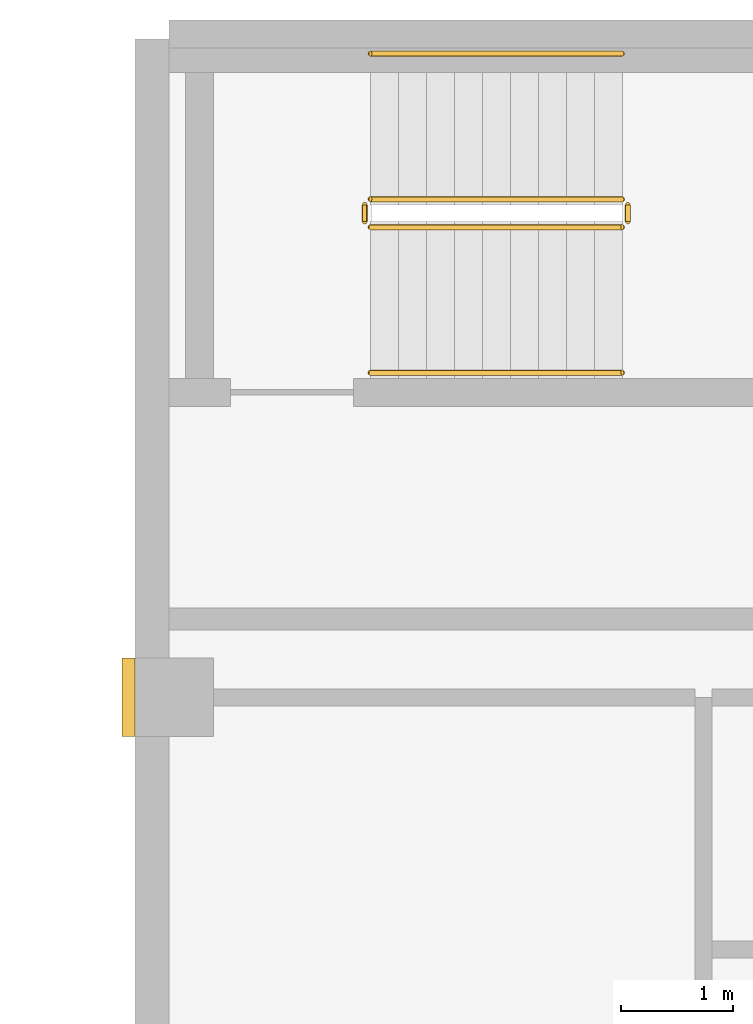
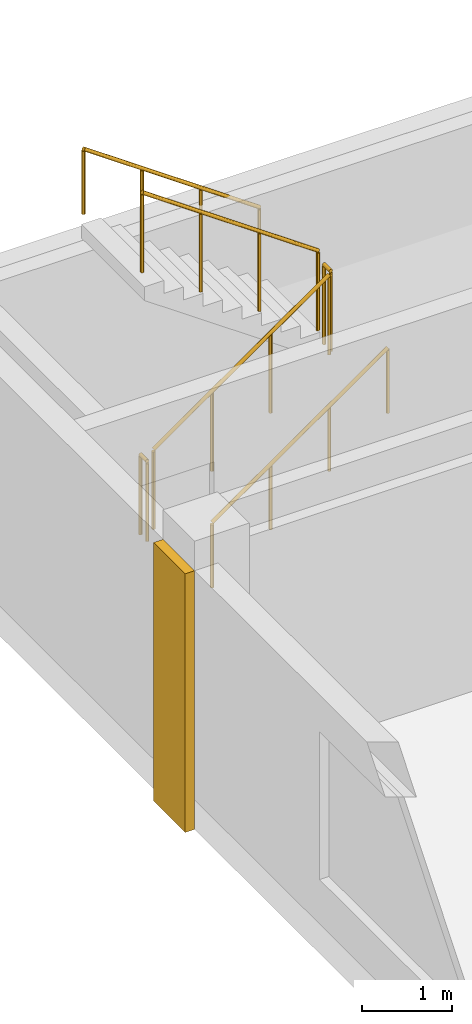
# One storey, part 10 of 10: 6 railings, 1 covering.
"""IFC4 building model written with IfcOpenShell, lengths in metres."""

import ifcopenshell
import ifcopenshell.guid

model = None  # the IFC model being written
_history = None  # IfcOwnerHistory: only IFC2X3 demands one
_inside = {}  # id of a spatial element -> (the spatial element, [elements in it])
_under = {}  # id of a project, library or spatial element -> (it, [spatial elements below it])
_declared = {}  # id of a project -> (the project, [libraries it declares])
_typed = {}  # id of a type object -> (the type object, [elements of that type])
_made_of = {}  # id of a material, layer set ... -> (it, [elements and type objects made of it])


def new_model(schema):
    """Start an empty IFC model of exactly this schema.

    Asked for "IFC4X3", IfcOpenShell would pick the latest addendum, in which some entities
    have other attributes; the version numbers below select the first issue.
    IFC2X3 requires an IfcOwnerHistory on every rooted entity: one is made here for all.
    """
    global model, _history
    if schema == "IFC4X3":
        model = ifcopenshell.file(schema_version=(4, 3, 0, 0))
    else:
        model = ifcopenshell.file(schema=schema)
    _inside.clear()
    _under.clear()
    _declared.clear()
    _typed.clear()
    _made_of.clear()
    _history = None
    if model.schema == "IFC2X3":
        org = make("IfcOrganization", Name="unknown")
        user = make(
            "IfcPersonAndOrganization",
            ThePerson=make("IfcPerson", FamilyName="unknown"),
            TheOrganization=org,
        )
        app = make(
            "IfcApplication",
            ApplicationDeveloper=org,
            Version="unknown",
            ApplicationFullName="unknown",
            ApplicationIdentifier="unknown",
        )
        _history = make(
            "IfcOwnerHistory",
            OwningUser=user,
            OwningApplication=app,
            ChangeAction="ADDED",
            CreationDate=0,
        )
    return model


def make(cls, **values):
    """One entity of the class cls with the attributes given. An attribute that is None is left unset."""
    return model.create_entity(
        cls, **{name: value for name, value in values.items() if value is not None}
    )


def rooted(cls, **values):
    """An entity with a GlobalId (a new one), such as an element, a storey or a relation."""
    return make(cls, GlobalId=ifcopenshell.guid.new(), OwnerHistory=_history, **values)


def si_unit(unit_type, name, prefix=None):
    """IfcSIUnit, for example si_unit("LENGTHUNIT", "METRE", prefix="MILLI")."""
    return make("IfcSIUnit", UnitType=unit_type, Prefix=prefix, Name=name)


def assignment(units):
    """IfcUnitAssignment: the units of a project."""
    return None if units is None else make("IfcUnitAssignment", Units=units)


def point(xyz):
    """IfcCartesianPoint."""
    return None if xyz is None else make("IfcCartesianPoint", Coordinates=xyz)


def direction(xyz):
    """IfcDirection."""
    return None if xyz is None else make("IfcDirection", DirectionRatios=xyz)


def frame(location, z_axis=None, x_axis=None):
    """IfcAxis2Placement3D, a coordinate frame: its origin and axes. An axis left out is left unset."""
    return make(
        "IfcAxis2Placement3D",
        Location=point(location),
        Axis=direction(z_axis),
        RefDirection=direction(x_axis),
    )


def frame_2d(location, x_axis=None):
    """IfcAxis2Placement2D, a coordinate frame in the plane: its origin and x axis."""
    return make(
        "IfcAxis2Placement2D", Location=point(location), RefDirection=direction(x_axis)
    )


def origin():
    """The frame at (0, 0, 0) with its axes left unset."""
    return frame((0.0, 0.0, 0.0))


def origin_2d():
    """The frame at (0, 0) in the plane with its x axis left unset."""
    return frame_2d((0.0, 0.0))


def place(relative_to, where):
    """IfcLocalPlacement: puts the frame where relative to a parent placement (None: the world)."""
    return make(
        "IfcLocalPlacement", PlacementRelTo=relative_to, RelativePlacement=where
    )


def context(
    kind, dimensions, precision=None, world=None, true_north=None, identifier=None
):
    """IfcGeometricRepresentationContext, for example the 3D "Model" context."""
    return make(
        "IfcGeometricRepresentationContext",
        ContextIdentifier=identifier,
        ContextType=kind,
        CoordinateSpaceDimension=dimensions,
        Precision=precision,
        WorldCoordinateSystem=world,
        TrueNorth=true_north,
    )


def subcontext(parent, identifier, kind, view, scale=None):
    """IfcGeometricRepresentationSubContext, for example "Body" below "Model"."""
    return make(
        "IfcGeometricRepresentationSubContext",
        ContextIdentifier=identifier,
        ContextType=kind,
        ParentContext=parent,
        TargetScale=scale,
        TargetView=view,
    )


def project(units=None, contexts=None):
    """IfcProject with its units and contexts."""
    return rooted(
        "IfcProject",
        Name="project",
        RepresentationContexts=contexts,
        UnitsInContext=assignment(units),
    )


def spatial(cls, under=None, at=None, **own):
    """A site, building, storey or space (cls), placed at a placement, below another one or the project."""
    s = rooted(cls, ObjectPlacement=at, **own)
    if under is not None:
        _under.setdefault(under.id(), (under, []))[1].append(s)
    return s


def profile(cls, at=None, kind="AREA", **sizes):
    """A parametric profile (cls). Its sizes go by their IFC names, for example OverallWidth=200.0."""
    return make(cls, ProfileType=kind, Position=at, **sizes)


def rectangle(**sizes):
    """IfcRectangleProfileDef."""
    return profile("IfcRectangleProfileDef", **sizes)


def circle(**sizes):
    """IfcCircleProfileDef."""
    return profile("IfcCircleProfileDef", **sizes)


def extrude(swept, where, along, depth):
    """IfcExtrudedAreaSolid: the profile swept, set in the frame where, extruded along a direction by depth."""
    return make(
        "IfcExtrudedAreaSolid",
        SweptArea=swept,
        Position=where,
        ExtrudedDirection=direction(along),
        Depth=depth,
    )


def shape(context_of_items, identifier, shape_type, items):
    """IfcShapeRepresentation: the items that make up one representation, for example the "Body"."""
    return make(
        "IfcShapeRepresentation",
        ContextOfItems=context_of_items,
        RepresentationIdentifier=identifier,
        RepresentationType=shape_type,
        Items=items,
    )


def source(mapping_origin, context_of_items, identifier, shape_type, items):
    """IfcRepresentationMap: a shape defined once, which mapped items show again and again."""
    return make(
        "IfcRepresentationMap",
        MappingOrigin=mapping_origin,
        MappedRepresentation=shape(context_of_items, identifier, shape_type, items),
    )


def transform(
    local_origin,
    x_axis=None,
    y_axis=None,
    z_axis=None,
    scale=None,
    scale2=None,
    scale3=None,
    uniform=True,
):
    """IfcCartesianTransformationOperator3D, or its non-uniform kind. x_axis, y_axis, z_axis: its Axis1, 2, 3."""
    if uniform:
        return make(
            "IfcCartesianTransformationOperator3D",
            Axis1=direction(x_axis),
            Axis2=direction(y_axis),
            LocalOrigin=point(local_origin),
            Scale=scale,
            Axis3=direction(z_axis),
        )
    return make(
        "IfcCartesianTransformationOperator3DnonUniform",
        Axis1=direction(x_axis),
        Axis2=direction(y_axis),
        LocalOrigin=point(local_origin),
        Scale=scale,
        Axis3=direction(z_axis),
        Scale2=scale2,
        Scale3=scale3,
    )


def mapped(mapping_source, mapping_target):
    """IfcMappedItem: shows the shape of a source again, moved by a transform."""
    return make(
        "IfcMappedItem", MappingSource=mapping_source, MappingTarget=mapping_target
    )


def material(Name=None, Category=None):
    """IfcMaterial."""
    return make("IfcMaterial", Name=Name, Category=Category)


def made_of(thing, what):
    """Note that an element or type object is made of a material, layer set ...; save() writes the relation."""
    if what is not None:
        _made_of.setdefault(what.id(), (what, []))[1].append(thing)
    return thing


def type_object(cls, material=None, **own):
    """A type object (cls), such as IfcWallType, which elements share."""
    return made_of(rooted(cls, **own), material)


def element(
    cls,
    number,
    at=None,
    inside=None,
    cuts=None,
    type_object=None,
    material=None,
    context=None,
    identifier="Body",
    shape_type=None,
    held_by="IfcProductDefinitionShape",
    body=None,
    shapes=None,
    **own,
):
    """One element of the class cls, such as IfcWall. Its Tag is "e" and its number.

    at: its placement. inside: the storey or other place that contains it. cuts: it is an
    opening in that element (IfcRelVoidsElement). A single representation is given by context,
    identifier, shape_type and body (its items); several are given by shapes. held_by: the class
    of the entity that holds the representations. save() writes the other relations.
    """
    e = rooted(cls, Tag="e%d" % number, ObjectPlacement=at, **own)
    if body is not None:
        shapes = [shape(context, identifier, shape_type, body)]
    if shapes is not None:
        e.Representation = make(held_by, Representations=shapes)
    if inside is not None:
        _inside.setdefault(inside.id(), (inside, []))[1].append(e)
    if cuts is not None:
        rooted(
            "IfcRelVoidsElement", RelatingBuildingElement=cuts, RelatedOpeningElement=e
        )
    if type_object is not None:
        _typed.setdefault(type_object.id(), (type_object, []))[1].append(e)
    return made_of(e, material)


def aggregate(whole, parts):
    """IfcRelAggregates: a whole, such as a stair, and the parts it consists of."""
    return rooted("IfcRelAggregates", RelatingObject=whole, RelatedObjects=parts)


def save(model, path):
    """Write the relations noted so far, then the file.

    IfcRelAggregates (storeys below a building ...), IfcRelContainedInSpatialStructure (elements
    in a storey), IfcRelDefinesByType, IfcRelAssociatesMaterial and IfcRelDeclares: one each for
    every whole, place, type object, material and project.
    """
    for whole, parts in _under.values():
        aggregate(whole, parts)
    for where, things in _inside.values():
        rooted(
            "IfcRelContainedInSpatialStructure",
            RelatedElements=things,
            RelatingStructure=where,
        )
    for kind, things in _typed.values():
        rooted("IfcRelDefinesByType", RelatedObjects=things, RelatingType=kind)
    for what, things in _made_of.values():
        rooted("IfcRelAssociatesMaterial", RelatedObjects=things, RelatingMaterial=what)
    for by, libraries in _declared.values():
        rooted("IfcRelDeclares", RelatingContext=by, RelatedDefinitions=libraries)
    model.write(path)


model = new_model("IFC4")

# Units and contexts
model_context = context("Model", 3, precision=1e-05, world=origin(), true_north=direction((0.0, 1.0)))
body_context = subcontext(model_context, "Body", "Model", "MODEL_VIEW")
ifc_project = project(units=[si_unit("LENGTHUNIT", "METRE"), si_unit("AREAUNIT", "SQUARE_METRE"), si_unit("VOLUMEUNIT", "CUBIC_METRE"), si_unit("PLANEANGLEUNIT", "RADIAN"), si_unit("MASSUNIT", "GRAM", prefix="KILO")], contexts=[model_context])

# Site, building, storey
site_placement = place(None, origin())
site = spatial("IfcSite", under=ifc_project, at=site_placement, CompositionType="ELEMENT")
building_placement = place(site_placement, origin())
building = spatial("IfcBuilding", under=site, at=building_placement, Name="Aurelian Terraces", CompositionType="ELEMENT")
storey_placement = place(building_placement, frame((0.0, 0.0, 291.5)))
storey = spatial("IfcBuildingStorey", under=building, at=storey_placement, Name="L66", CompositionType="ELEMENT", Elevation=291.5)

# Covering
ifc_material_1 = material(Name="Terracotta rainscreen cladding relief", Category="masonry")
covering_type = type_object("IfcCoveringType", Name="BAGUETTE-TC", PredefinedType="CLADDING", material=ifc_material_1)
shared_shape_1 = source(origin(), body_context, "Body", "SweptSolid", [
    extrude(rectangle(XDim=0.12, YDim=0.7, at=origin_2d()), origin(), (0.0, 0.0, 1.0), 3.5),
])
covering_placement = place(storey_placement, frame((10.44, 37.8, -0.4), z_axis=(0.0, 0.0, 1.0), x_axis=(1.0, 0.0, 0.0)))
element("IfcCovering", 1, at=covering_placement, inside=storey, type_object=covering_type, Name="BAGUETTE pier L66 6", PredefinedType="CLADDING", context=body_context, shape_type="MappedRepresentation", body=[
    mapped(shared_shape_1, transform((0.0, 0.0, 0.0), scale=1.0)),
])

# Railings
ifc_material_2 = material(Name="Stainless steel", Category="steel")
railing_type_1 = type_object("IfcRailingType", Name="Stair guard 1100", PredefinedType="GUARDRAIL", material=ifc_material_2)
shared_shape_2 = source(origin(), body_context, "Body", "SweptSolid", [
    extrude(circle(Radius=0.024, at=origin_2d()), frame((0.0, 0.0, 1.076), z_axis=(0.0, 1.0, 0.0), x_axis=(-1.0, 0.0, 0.0)), (0.0, 0.0, 1.0), 0.15),
    extrude(circle(Radius=0.021, at=origin_2d()), origin(), (0.0, 0.0, 1.0), 1.052),
    extrude(circle(Radius=0.021, at=origin_2d()), frame((0.0, 0.15, 0.0)), (0.0, 0.0, 1.0), 1.052),
])
for number, where, name in (
    (2, (14.9, 42.05, 1.75), "L66 S3U stair guard 2"),
    (3, (12.55, 42.05, 0.0), "L66 S3U stair guard 4"),
):
    element("IfcRailing", number, at=place(storey_placement, frame(where)), inside=storey, type_object=railing_type_1, Name=name, PredefinedType="GUARDRAIL", context=body_context, shape_type="MappedRepresentation", body=[
        mapped(shared_shape_2, transform((0.0, 0.0, 0.0), scale=1.0)),
    ])
shared_shape_3 = source(origin(), body_context, "Body", "SweptSolid", [
    extrude(circle(Radius=0.024, at=origin_2d()), frame((0.0, 0.0, 1.076), z_axis=(0.819231920519, 0.0, 0.573462344363), x_axis=(0.0, 1.0, 0.0)), (0.0, 0.0, 1.0), 2.7465),
    extrude(circle(Radius=0.021, at=origin_2d()), origin(), (0.0, 0.0, 1.0), 1.052),
    extrude(circle(Radius=0.021, at=origin_2d()), frame((0.75, 0.0, 0.525)), (0.0, 0.0, 1.0), 1.052),
    extrude(circle(Radius=0.021, at=origin_2d()), frame((1.5, 0.0, 1.05)), (0.0, 0.0, 1.0), 1.052),
    extrude(circle(Radius=0.021, at=origin_2d()), frame((2.25, 0.0, 1.575)), (0.0, 0.0, 1.0), 1.052),
])
railing_1_placement = place(storey_placement, frame((12.6, 42.0, 0.175)))
element("IfcRailing", 4, at=railing_1_placement, inside=storey, type_object=railing_type_1, Name="L66 S3U stair guard 1", PredefinedType="GUARDRAIL", context=body_context, shape_type="MappedRepresentation", body=[
    mapped(shared_shape_3, transform((0.0, 0.0, 0.0), scale=1.0)),
])
shared_shape_4 = source(origin(), body_context, "Body", "SweptSolid", [
    extrude(circle(Radius=0.024, at=origin_2d()), frame((0.0, 0.0, 1.076), z_axis=(-0.819231920519, 0.0, 0.573462344363), x_axis=(0.0, -1.0, 0.0)), (0.0, 0.0, 1.0), 2.7465),
    extrude(circle(Radius=0.021, at=origin_2d()), origin(), (0.0, 0.0, 1.0), 1.052),
    extrude(circle(Radius=0.021, at=origin_2d()), frame((-0.75, 0.0, 0.525)), (0.0, 0.0, 1.0), 1.052),
    extrude(circle(Radius=0.021, at=origin_2d()), frame((-1.5, 0.0, 1.05)), (0.0, 0.0, 1.0), 1.052),
    extrude(circle(Radius=0.021, at=origin_2d()), frame((-2.25, 0.0, 1.575)), (0.0, 0.0, 1.0), 1.052),
])
railing_2_placement = place(storey_placement, frame((14.85, 42.25, 1.925)))
element("IfcRailing", 5, at=railing_2_placement, inside=storey, type_object=railing_type_1, Name="L66 S3U stair guard 3", PredefinedType="GUARDRAIL", context=body_context, shape_type="MappedRepresentation", body=[
    mapped(shared_shape_4, transform((0.0, 0.0, 0.0), scale=1.0)),
])
railing_type_2 = type_object("IfcRailingType", Name="Stair handrail", PredefinedType="HANDRAIL", material=ifc_material_2)
shared_shape_5 = source(origin(), body_context, "Body", "SweptSolid", [
    extrude(circle(Radius=0.024, at=origin_2d()), frame((0.0, 0.0, 0.876), z_axis=(0.819231920519, 0.0, 0.573462344363), x_axis=(0.0, 1.0, 0.0)), (0.0, 0.0, 1.0), 2.7465),
    extrude(circle(Radius=0.021, at=origin_2d()), origin(), (0.0, 0.0, 1.0), 0.852),
    extrude(circle(Radius=0.021, at=origin_2d()), frame((0.75, 0.0, 0.525)), (0.0, 0.0, 1.0), 0.852),
    extrude(circle(Radius=0.021, at=origin_2d()), frame((1.5, 0.0, 1.05)), (0.0, 0.0, 1.0), 0.852),
    extrude(circle(Radius=0.021, at=origin_2d()), frame((2.25, 0.0, 1.575)), (0.0, 0.0, 1.0), 0.852),
])
railing_3_placement = place(storey_placement, frame((12.6, 40.7, 0.175)))
element("IfcRailing", 6, at=railing_3_placement, inside=storey, type_object=railing_type_2, Name="L66 S3U stair handrail 1", PredefinedType="HANDRAIL", context=body_context, shape_type="MappedRepresentation", body=[
    mapped(shared_shape_5, transform((0.0, 0.0, 0.0), scale=1.0)),
])
shared_shape_6 = source(origin(), body_context, "Body", "SweptSolid", [
    extrude(circle(Radius=0.024, at=origin_2d()), frame((0.0, 0.0, 0.876), z_axis=(-0.819231920519, 0.0, 0.573462344363), x_axis=(0.0, -1.0, 0.0)), (0.0, 0.0, 1.0), 2.7465),
    extrude(circle(Radius=0.021, at=origin_2d()), origin(), (0.0, 0.0, 1.0), 0.852),
    extrude(circle(Radius=0.021, at=origin_2d()), frame((-0.75, 0.0, 0.525)), (0.0, 0.0, 1.0), 0.852),
    extrude(circle(Radius=0.021, at=origin_2d()), frame((-1.5, 0.0, 1.05)), (0.0, 0.0, 1.0), 0.852),
    extrude(circle(Radius=0.021, at=origin_2d()), frame((-2.25, 0.0, 1.575)), (0.0, 0.0, 1.0), 0.852),
])
railing_4_placement = place(storey_placement, frame((14.85, 43.55, 1.925)))
element("IfcRailing", 7, at=railing_4_placement, inside=storey, type_object=railing_type_2, Name="L66 S3U stair handrail 2", PredefinedType="HANDRAIL", context=body_context, shape_type="MappedRepresentation", body=[
    mapped(shared_shape_6, transform((0.0, 0.0, 0.0), scale=1.0)),
])

save(model, "model.ifc")
